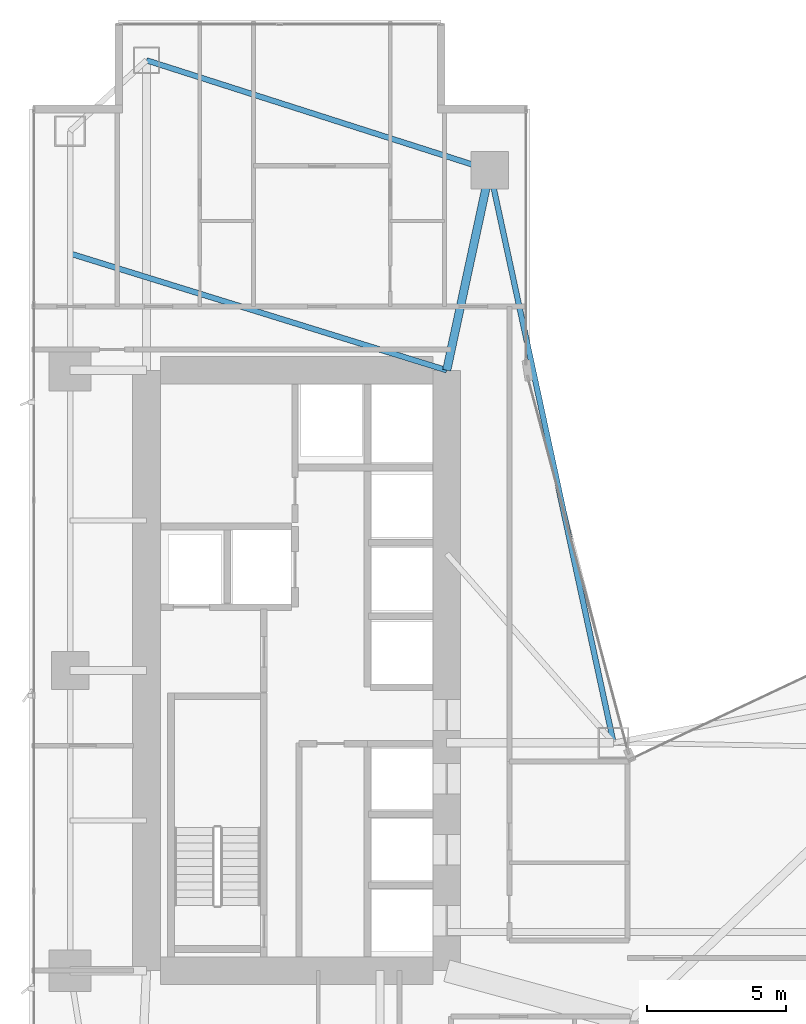
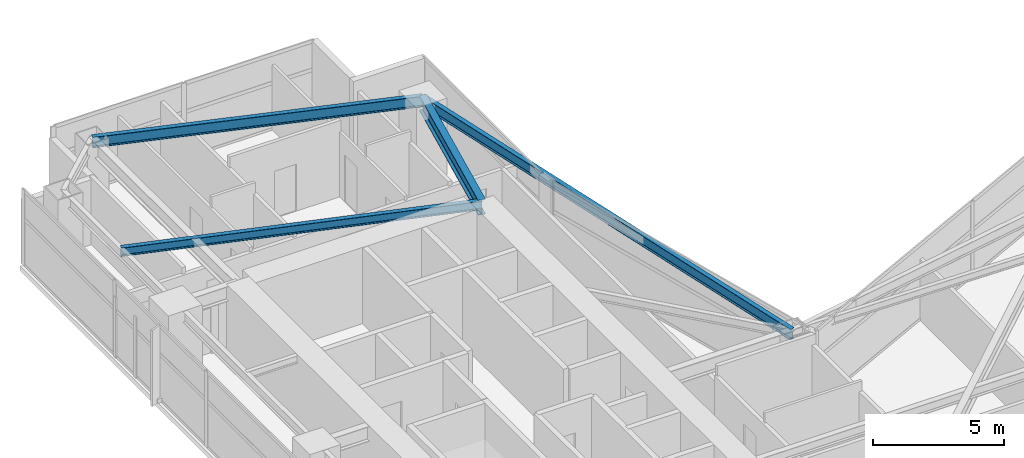
# One storey, part 17 of 30: 4 beams.
"""IFC4 building model written with IfcOpenShell, lengths in metres."""

from ifc_helpers import new_model, si_unit, direction, frame, origin, origin_2d, place, context, subcontext, project, spatial, i_section, extrude, material, material_profile, profile_set, type_object, element, save


model = new_model("IFC4")

# Units and contexts
model_context = context("Model", 3, precision=1e-05, world=origin(), true_north=direction((0.0, 1.0)))
body_context = subcontext(model_context, "Body", "Model", "MODEL_VIEW")
ifc_project = project(units=[si_unit("LENGTHUNIT", "METRE"), si_unit("AREAUNIT", "SQUARE_METRE"), si_unit("VOLUMEUNIT", "CUBIC_METRE"), si_unit("PLANEANGLEUNIT", "RADIAN"), si_unit("MASSUNIT", "GRAM", prefix="KILO")], contexts=[model_context])

# Site, building, storey
site_placement = place(None, origin())
site = spatial("IfcSite", under=ifc_project, at=site_placement, CompositionType="ELEMENT")
building_placement = place(site_placement, origin())
building = spatial("IfcBuilding", under=site, at=building_placement, Name="Calvorn Quay Hotel", CompositionType="ELEMENT")
storey_placement = place(building_placement, frame((0.0, 0.0, 77.39990234375)))
storey = spatial("IfcBuildingStorey", under=building, at=storey_placement, Name="L18", CompositionType="ELEMENT", Elevation=77.39990234375)

# Beams
ifc_material_1 = material(Name="Steel Q390GJC", Category="steel")
ifc_material_profile_1 = material_profile(ifc_material_1, i_section(OverallWidth=0.300048828125, OverallDepth=0.699951171875, WebThickness=0.012939453125, FlangeThickness=0.02392578125, FilletRadius=0.02392578125, at=origin_2d()), Name="HN700x300x13x24")
ifc_profile_set_1 = profile_set([ifc_material_profile_1], Name="Steel Q390GJC")
beam_type_1 = type_object("IfcBeamType", Name="BM-GIRD-MAIN", PredefinedType="BEAM", material=ifc_profile_set_1)
beam_1_placement = place(storey_placement, frame((16.550048828125, 45.60009765625, 3.190185546875), z_axis=(-0.210457140491, -0.97760308511, 0.0), x_axis=(0.97760308511, -0.210457140491, 0.0)))
element("IfcBeam", 1, at=beam_1_placement, inside=storey, type_object=beam_type_1, Name="Beam BG-L18-W6", PredefinedType="BEAM", context=body_context, shape_type="SweptSolid", body=[
    extrude(i_section(OverallWidth=0.300048828125, OverallDepth=0.699951171875, WebThickness=0.012939453125, FlangeThickness=0.02392578125, FilletRadius=0.02392578125, at=origin_2d()), origin(), (0.0, 0.0, 1.0), 7.365234375),
])
ifc_material_2 = material(Name="Steel Q355B", Category="steel")
ifc_material_profile_2 = material_profile(ifc_material_2, i_section(OverallWidth=0.199951171875, OverallDepth=0.39990234375, WebThickness=0.008056640625, FlangeThickness=0.012939453125, FilletRadius=0.01611328125, at=origin_2d()), Name="HN400x200x8x13")
ifc_profile_set_2 = profile_set([ifc_material_profile_2], Name="Steel Q355B")
beam_type_2 = type_object("IfcBeamType", Name="BM-JOIST-TYP", PredefinedType="JOIST", material=ifc_profile_set_2)
beam_2_placement = place(storey_placement, frame((1.449951171875, 42.60009765625, 3.340087890625), z_axis=(0.955163702122, -0.296078202759, 0.0), x_axis=(0.296078202759, 0.955163702122, 0.0)))
element("IfcBeam", 2, at=beam_2_placement, inside=storey, type_object=beam_type_2, Name="Beam BJ-L18-W2", PredefinedType="JOIST", context=body_context, shape_type="SweptSolid", body=[
    extrude(i_section(OverallWidth=0.199951171875, OverallDepth=0.39990234375, WebThickness=0.008056640625, FlangeThickness=0.012939453125, FilletRadius=0.01611328125, at=origin_2d()), origin(), (0.0, 0.0, 1.0), 14.18603515625),
])
ifc_material_3 = material(Name="Steel Q355B", Category="steel")
ifc_material_profile_3 = material_profile(ifc_material_3, i_section(OverallWidth=0.199951171875, OverallDepth=0.5, WebThickness=0.010009765625, FlangeThickness=0.01611328125, FilletRadius=0.01611328125, at=origin_2d()), Name="HN500x200x10x16")
ifc_profile_set_3 = profile_set([ifc_material_profile_3], Name="Steel Q355B")
beam_type_3 = type_object("IfcBeamType", Name="BM-SPANDREL-Z1", PredefinedType="SPANDREL", material=ifc_profile_set_3)
beam_3_placement = place(storey_placement, frame((4.199951171875, 49.550048828125, 3.2900390625), z_axis=(0.952470702374, -0.304630203885, 0.0), x_axis=(0.304630203885, 0.952470702374, 0.0)))
element("IfcBeam", 3, at=beam_3_placement, inside=storey, type_object=beam_type_3, Name="Beam BSP-L18-W6", PredefinedType="SPANDREL", context=body_context, shape_type="SweptSolid", body=[
    extrude(i_section(OverallWidth=0.199951171875, OverallDepth=0.5, WebThickness=0.010009765625, FlangeThickness=0.01611328125, FilletRadius=0.01611328125, at=origin_2d()), origin(), (0.0, 0.0, 1.0), 12.96630859375),
])
beam_4_placement = place(storey_placement, frame((16.550048828125, 45.60009765625, 3.2900390625), z_axis=(0.211145848376, -0.977454567084, 0.0), x_axis=(0.977454567084, 0.211145848376, 0.0)))
element("IfcBeam", 4, at=beam_4_placement, inside=storey, type_object=beam_type_3, Name="Beam BSP-L18-W7", PredefinedType="SPANDREL", context=body_context, shape_type="SweptSolid", body=[
    extrude(i_section(OverallWidth=0.199951171875, OverallDepth=0.5, WebThickness=0.010009765625, FlangeThickness=0.01611328125, FilletRadius=0.01611328125, at=origin_2d()), origin(), (0.0, 0.0, 1.0), 21.0751953125),
])

save(model, "model.ifc")
